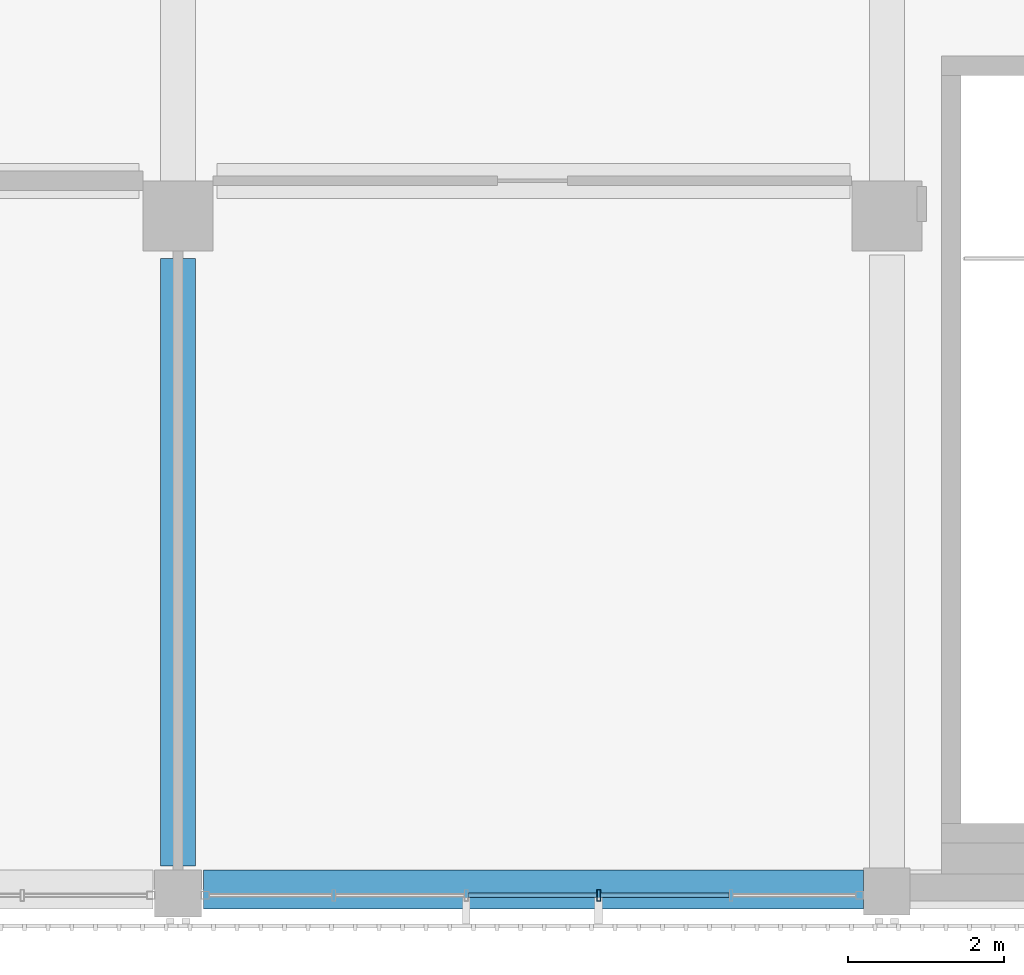
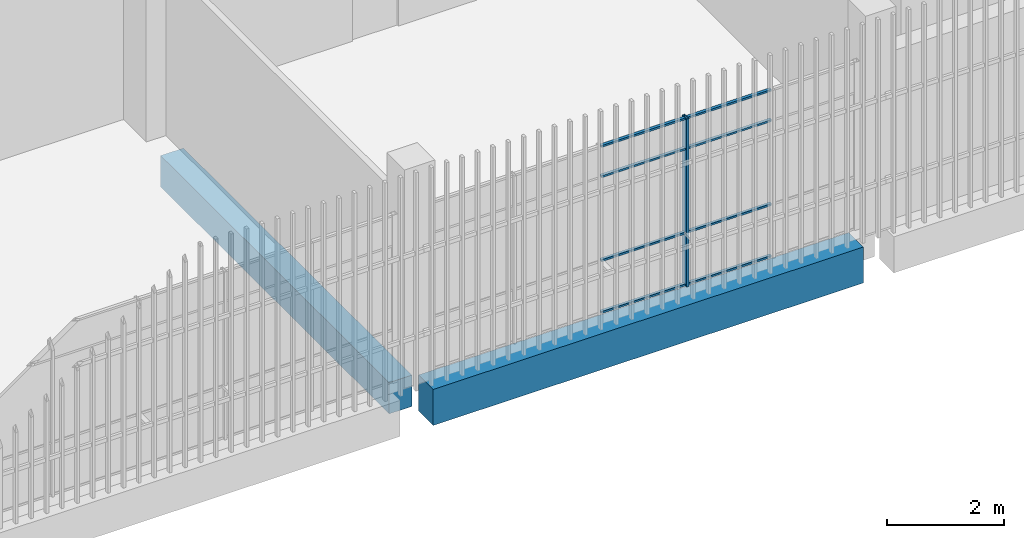
# One storey, part 13 of 104: 9 members, 2 beams, 1 element without a shape of its own.
"""IFC4 building model written with IfcOpenShell, lengths in metres."""

from ifc_helpers import new_model, si_unit, direction, frame, origin, origin_2d, place, context, subcontext, project, spatial, rectangle, hollow_rectangle, extrude, material, layer, layer_set, material_profile, profile_set, type_object, element, aggregate, save


model = new_model("IFC4")

# Units and contexts
model_context = context("Model", 3, precision=1e-05, world=origin(), true_north=direction((0.0, 1.0)))
body_context = subcontext(model_context, "Body", "Model", "MODEL_VIEW")
ifc_project = project(units=[si_unit("LENGTHUNIT", "METRE"), si_unit("AREAUNIT", "SQUARE_METRE"), si_unit("VOLUMEUNIT", "CUBIC_METRE"), si_unit("PLANEANGLEUNIT", "RADIAN"), si_unit("MASSUNIT", "GRAM", prefix="KILO")], contexts=[model_context])

# Site, building, storey
site_placement = place(None, origin())
site = spatial("IfcSite", under=ifc_project, at=site_placement, CompositionType="ELEMENT")
building_placement = place(site_placement, origin())
building = spatial("IfcBuilding", under=site, at=building_placement, Name="Shirokan Park Arena", CompositionType="ELEMENT")
storey_placement = place(building_placement, frame((0.0, 0.0, 10.919921875)))
storey = spatial("IfcBuildingStorey", under=building, at=storey_placement, Name="L02", CompositionType="ELEMENT", Elevation=10.919921875)

# Curtain wall, member
ifc_material_1 = material(Name="Steel and glass curtain wall", Category="steel")
ifc_layer = layer(ifc_material_1, 0.14990234375)
ifc_layer_set = layer_set([ifc_layer], Name="Steel and glass curtain wall 150 mm")
curtain_wall_type = type_object("IfcCurtainWallType", Name="Curtain wall exposed bay 150", PredefinedType="NOTDEFINED", material=ifc_layer_set)
curtain_wall_placement = place(storey_placement, origin())
curtain_wall = element("IfcCurtainWall", 1, at=curtain_wall_placement, inside=storey, type_object=curtain_wall_type, Name="Curtain wall south bay 9 L02", PredefinedType="NOTDEFINED")
ifc_material_2 = material(Name="Steel S355", Category="steel")
ifc_material_profile_1 = material_profile(ifc_material_2, hollow_rectangle(XDim=0.14990234375, YDim=0.050048828125, WallThickness=0.006103515625, at=origin_2d()), Name="RHS 150x50x6")
ifc_profile_set_1 = profile_set([ifc_material_profile_1], Name="Steel S355")
member_type_1 = type_object("IfcMemberType", Name="Mullion RHS 150x50x6", PredefinedType="MULLION", material=ifc_profile_set_1)
member_1_placement = place(storey_placement, frame((78.199951171875, -0.074951171875, 0.0), z_axis=(0.0, 0.0, 1.0), x_axis=(0.0, 1.0, 0.0)))
member_1 = element("IfcMember", 2, at=member_1_placement, type_object=member_type_1, Name="CW1 mullion 4", PredefinedType="MULLION", context=body_context, shape_type="SweptSolid", body=[
    extrude(hollow_rectangle(XDim=0.14990234375, YDim=0.050048828125, WallThickness=0.006103515625, at=origin_2d()), origin(), (0.0, 0.0, 1.0), 3.5),
])

# Beams
ifc_material_3 = material(Name="Concrete C35", Category="concrete")
ifc_material_profile_2 = material_profile(ifc_material_3, rectangle(XDim=0.449951171875, YDim=0.64990234375, at=origin_2d()), Name="450x650")
ifc_profile_set_2 = profile_set([ifc_material_profile_2], Name="Concrete C35")
beam_type_1 = type_object("IfcBeamType", Name="RC girder 450x650", PredefinedType="BEAM", material=ifc_profile_set_2)
beam_1_placement = place(storey_placement, frame((72.800048828125, 0.300048828125, -0.625), z_axis=(0.0, 1.0, 0.0), x_axis=(-1.0, 0.0, 0.0)))
element("IfcBeam", 3, at=beam_1_placement, inside=storey, type_object=beam_type_1, Name="Girder 9A-9B L02", PredefinedType="BEAM", context=body_context, shape_type="SweptSolid", body=[
    extrude(rectangle(XDim=0.449951171875, YDim=0.64990234375, at=origin_2d()), origin(), (0.0, 0.0, 1.0), 7.7998046875),
])
ifc_material_profile_3 = material_profile(ifc_material_3, rectangle(XDim=0.5, YDim=0.75, at=origin_2d()), Name="500x750")
ifc_profile_set_3 = profile_set([ifc_material_profile_3], Name="Concrete C35")
beam_type_2 = type_object("IfcBeamType", Name="RC girder 500x750", PredefinedType="BEAM", material=ifc_profile_set_3)
beam_2_placement = place(storey_placement, frame((73.125, 0.0, -0.6748046875), z_axis=(1.0, 0.0, 0.0), x_axis=(0.0, 1.0, 0.0)))
element("IfcBeam", 4, at=beam_2_placement, inside=storey, type_object=beam_type_2, Name="Girder 9A-10A L02", PredefinedType="BEAM", context=body_context, shape_type="SweptSolid", body=[
    extrude(rectangle(XDim=0.5, YDim=0.75, at=origin_2d()), origin(), (0.0, 0.0, 1.0), 8.474853515625),
])

# Member
ifc_material_profile_4 = material_profile(ifc_material_2, hollow_rectangle(XDim=0.06005859375, YDim=0.0400390625, WallThickness=0.00390625, at=origin_2d()), Name="RHS 60x40x4")
ifc_profile_set_4 = profile_set([ifc_material_profile_4], Name="Steel S355")
member_type_2 = type_object("IfcMemberType", Name="Transom RHS 60x40x4", PredefinedType="MULLION", material=ifc_profile_set_4)
member_2_placement = place(storey_placement, frame((76.52490234375, -0.074951171875, 0.02001953125), z_axis=(1.0, 0.0, 0.0), x_axis=(0.0, 1.0, 0.0)))
member_2 = element("IfcMember", 5, at=member_2_placement, type_object=member_type_2, Name="CW1 transom 3.1", PredefinedType="MULLION", context=body_context, shape_type="SweptSolid", body=[
    extrude(hollow_rectangle(XDim=0.06005859375, YDim=0.0400390625, WallThickness=0.00390625, at=origin_2d()), origin(), (0.0, 0.0, 1.0), 1.650146484375),
])

member_3_placement = place(storey_placement, frame((76.52490234375, -0.074951171875, 1.10009765625), z_axis=(1.0, 0.0, 0.0), x_axis=(0.0, 1.0, 0.0)))
member_3 = element("IfcMember", 6, at=member_3_placement, type_object=member_type_2, Name="CW1 transom 3.2", PredefinedType="MULLION", context=body_context, shape_type="SweptSolid", body=[
    extrude(hollow_rectangle(XDim=0.06005859375, YDim=0.0400390625, WallThickness=0.00390625, at=origin_2d()), origin(), (0.0, 0.0, 1.0), 1.650146484375),
])

member_4_placement = place(storey_placement, frame((76.52490234375, -0.074951171875, 2.85009765625), z_axis=(1.0, 0.0, 0.0), x_axis=(0.0, 1.0, 0.0)))
member_4 = element("IfcMember", 7, at=member_4_placement, type_object=member_type_2, Name="CW1 transom 3.3", PredefinedType="MULLION", context=body_context, shape_type="SweptSolid", body=[
    extrude(hollow_rectangle(XDim=0.06005859375, YDim=0.0400390625, WallThickness=0.00390625, at=origin_2d()), origin(), (0.0, 0.0, 1.0), 1.650146484375),
])

member_5_placement = place(storey_placement, frame((76.52490234375, -0.074951171875, 3.47998046875), z_axis=(1.0, 0.0, 0.0), x_axis=(0.0, 1.0, 0.0)))
member_5 = element("IfcMember", 8, at=member_5_placement, type_object=member_type_2, Name="CW1 transom 3.4", PredefinedType="MULLION", context=body_context, shape_type="SweptSolid", body=[
    extrude(hollow_rectangle(XDim=0.06005859375, YDim=0.0400390625, WallThickness=0.00390625, at=origin_2d()), origin(), (0.0, 0.0, 1.0), 1.650146484375),
])

member_6_placement = place(storey_placement, frame((78.22509765625, -0.074951171875, 0.02001953125), z_axis=(1.0, 0.0, 0.0), x_axis=(0.0, 1.0, 0.0)))
member_6 = element("IfcMember", 9, at=member_6_placement, type_object=member_type_2, Name="CW1 transom 4.1", PredefinedType="MULLION", context=body_context, shape_type="SweptSolid", body=[
    extrude(hollow_rectangle(XDim=0.06005859375, YDim=0.0400390625, WallThickness=0.00390625, at=origin_2d()), origin(), (0.0, 0.0, 1.0), 1.64990234375),
])

member_7_placement = place(storey_placement, frame((78.22509765625, -0.074951171875, 1.10009765625), z_axis=(1.0, 0.0, 0.0), x_axis=(0.0, 1.0, 0.0)))
member_7 = element("IfcMember", 10, at=member_7_placement, type_object=member_type_2, Name="CW1 transom 4.2", PredefinedType="MULLION", context=body_context, shape_type="SweptSolid", body=[
    extrude(hollow_rectangle(XDim=0.06005859375, YDim=0.0400390625, WallThickness=0.00390625, at=origin_2d()), origin(), (0.0, 0.0, 1.0), 1.64990234375),
])

member_8_placement = place(storey_placement, frame((78.22509765625, -0.074951171875, 2.85009765625), z_axis=(1.0, 0.0, 0.0), x_axis=(0.0, 1.0, 0.0)))
member_8 = element("IfcMember", 11, at=member_8_placement, type_object=member_type_2, Name="CW1 transom 4.3", PredefinedType="MULLION", context=body_context, shape_type="SweptSolid", body=[
    extrude(hollow_rectangle(XDim=0.06005859375, YDim=0.0400390625, WallThickness=0.00390625, at=origin_2d()), origin(), (0.0, 0.0, 1.0), 1.64990234375),
])

member_9_placement = place(storey_placement, frame((78.22509765625, -0.074951171875, 3.47998046875), z_axis=(1.0, 0.0, 0.0), x_axis=(0.0, 1.0, 0.0)))
member_9 = element("IfcMember", 12, at=member_9_placement, type_object=member_type_2, Name="CW1 transom 4.4", PredefinedType="MULLION", context=body_context, shape_type="SweptSolid", body=[
    extrude(hollow_rectangle(XDim=0.06005859375, YDim=0.0400390625, WallThickness=0.00390625, at=origin_2d()), origin(), (0.0, 0.0, 1.0), 1.64990234375),
])

aggregate(curtain_wall, [member_1, member_2, member_3, member_4, member_5, member_6, member_7, member_8, member_9])

save(model, "model.ifc")
